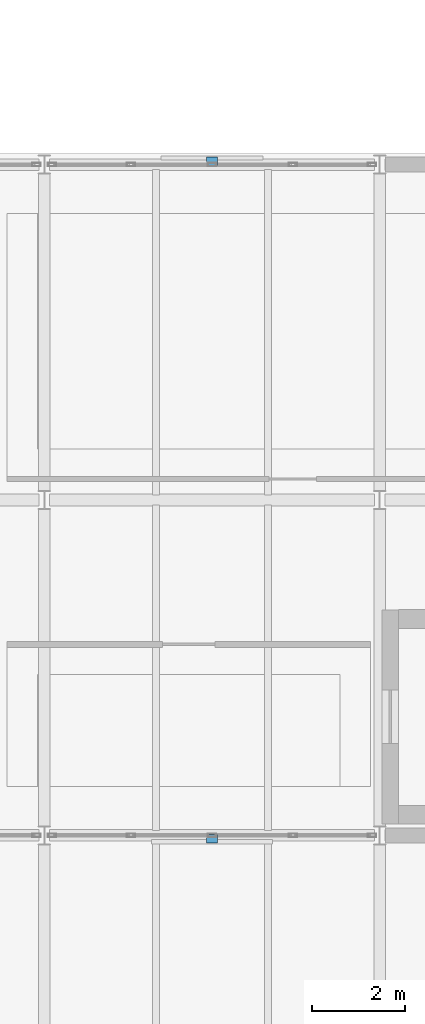
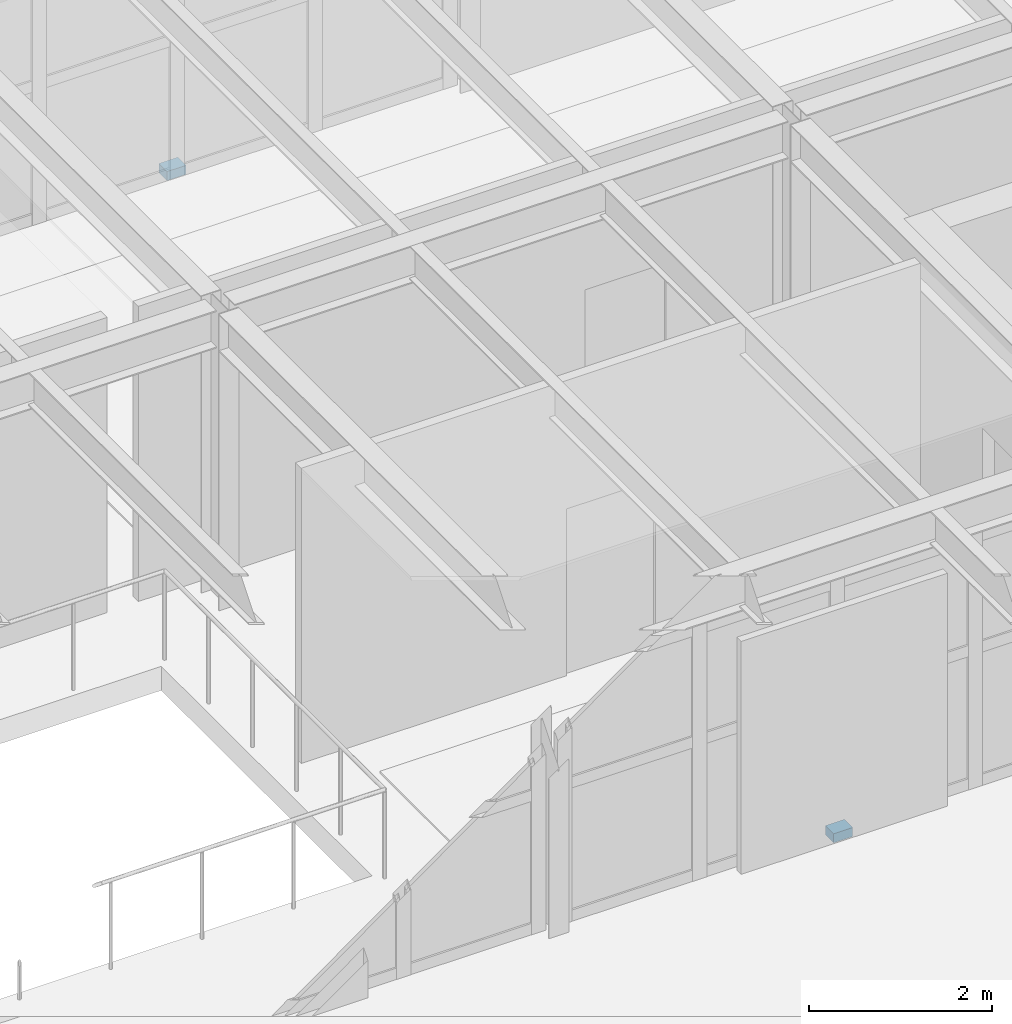
# One storey, part 49 of 59: 2 discrete accessories.
"""IFC4 building model written with IfcOpenShell, lengths in metres."""

from ifc_helpers import new_model, si_unit, direction, frame, origin, origin_2d, place, context, subcontext, project, spatial, rectangle, extrude, material, type_object, element, save


model = new_model("IFC4")

# Units and contexts
model_context = context("Model", 3, precision=1e-05, world=origin(), true_north=direction((0.0, 1.0)))
body_context = subcontext(model_context, "Body", "Model", "MODEL_VIEW")
ifc_project = project(units=[si_unit("LENGTHUNIT", "METRE"), si_unit("AREAUNIT", "SQUARE_METRE"), si_unit("VOLUMEUNIT", "CUBIC_METRE"), si_unit("PLANEANGLEUNIT", "RADIAN"), si_unit("MASSUNIT", "GRAM", prefix="KILO")], contexts=[model_context])

# Site, building, storey
site_placement = place(None, origin())
site = spatial("IfcSite", under=ifc_project, at=site_placement, CompositionType="ELEMENT")
building_placement = place(site_placement, origin())
building = spatial("IfcBuilding", under=site, at=building_placement, Name="Kandorven Conservatory and Botanical Research Centre", CompositionType="ELEMENT")
storey_placement = place(building_placement, frame((0.0, 0.0, 4.800048828125)))
storey = spatial("IfcBuildingStorey", under=building, at=storey_placement, Name="L01", CompositionType="ELEMENT", Elevation=4.800048828125)

# Discrete accessories
ifc_material = material(Name="Steel S355 (IS 2062 E350)", Category="steel")
discrete_accessory_type = type_object("IfcDiscreteAccessoryType", Name="JaliBracket", PredefinedType="BRACKET", material=ifc_material)
for number, where, z_axis, x_axis, name in (
    (1, (74.39990234375, 13.1298828125, -0.010009765625), (0.0, 0.0, 1.0), (1.0, 0.0, 0.0), "Stainless steel jali support bracket BRK-01 #4"),
    (2, (74.39990234375, 27.669921875, -0.010009765625), (0.0, 0.0, 1.0), (1.0, 0.0, 0.0), "Stainless steel jali support bracket BRK-01 #8"),
):
    element("IfcDiscreteAccessory", number, at=place(storey_placement, frame(where, z_axis=z_axis, x_axis=x_axis)), inside=storey, type_object=discrete_accessory_type, Name=name, PredefinedType="BRACKET", context=body_context, shape_type="SweptSolid", body=[
        extrude(rectangle(XDim=0.239990234375, YDim=0.179931640625, at=origin_2d()), origin(), (0.0, 0.0, 1.0), 0.1201171875),
    ])

save(model, "model.ifc")
